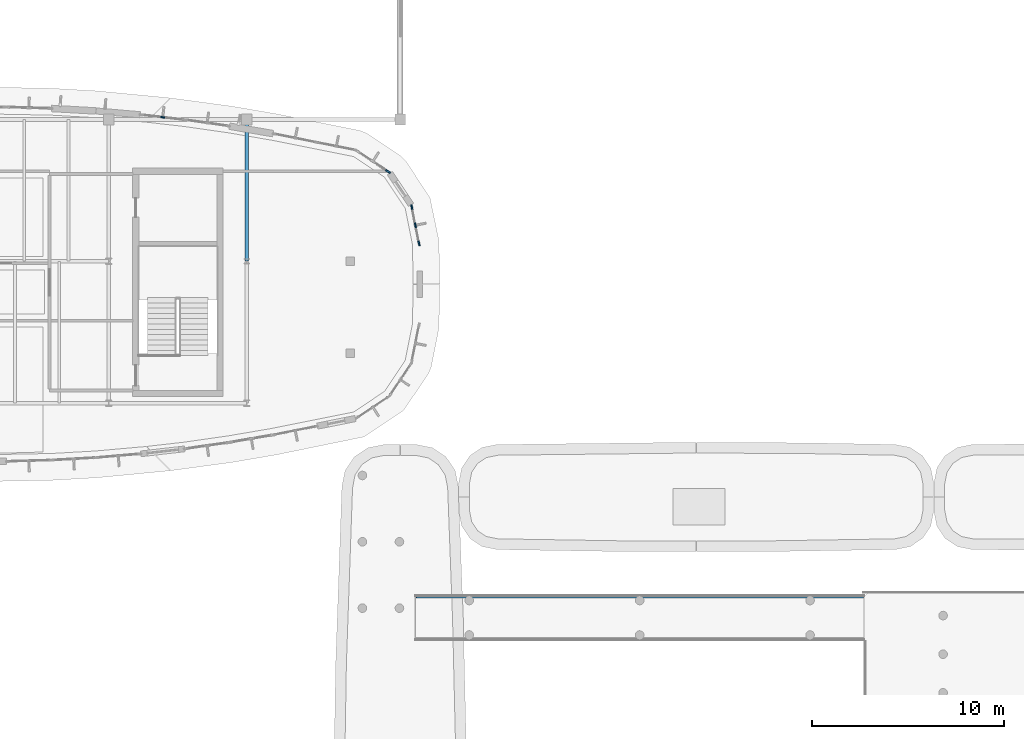
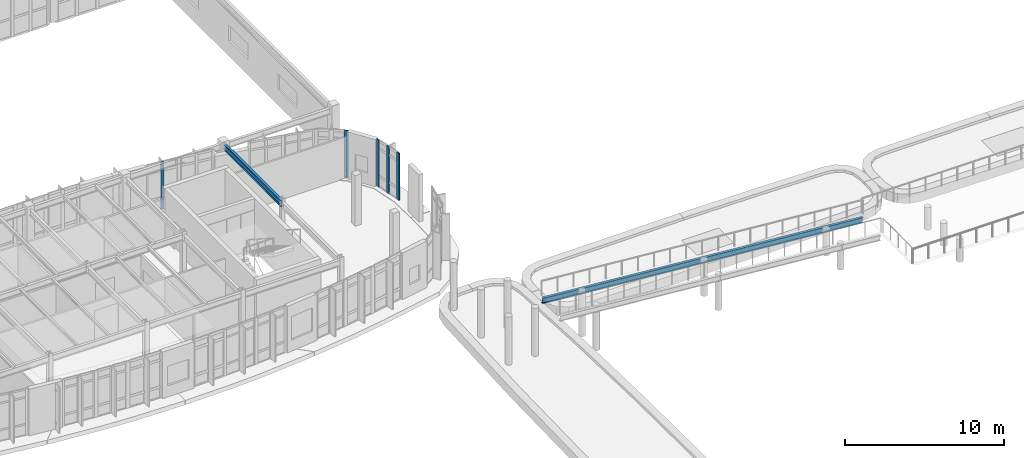
# One storey, part 40 of 111: 5 members, 2 beams, 3 elements without a shape of their own.
"""IFC4 building model written with IfcOpenShell, lengths in metres."""

from ifc_helpers import new_model, si_unit, direction, frame, origin, origin_2d, place, context, subcontext, project, spatial, rectangle, i_section, extrude, material, material_profile, profile_set, type_object, element, aggregate, save


model = new_model("IFC4")

# Units and contexts
model_context = context("Model", 3, precision=1e-05, world=origin(), true_north=direction((0.0, 1.0)))
body_context = subcontext(model_context, "Body", "Model", "MODEL_VIEW")
ifc_project = project(units=[si_unit("LENGTHUNIT", "METRE"), si_unit("AREAUNIT", "SQUARE_METRE"), si_unit("VOLUMEUNIT", "CUBIC_METRE"), si_unit("PLANEANGLEUNIT", "RADIAN"), si_unit("MASSUNIT", "GRAM", prefix="KILO")], contexts=[model_context])

# Site, building, storey
site_placement = place(None, origin())
site = spatial("IfcSite", under=ifc_project, at=site_placement, CompositionType="ELEMENT")
building_placement = place(site_placement, origin())
building = spatial("IfcBuilding", under=site, at=building_placement, Name="Corveleigh Park Community Centre", CompositionType="ELEMENT")
storey_placement = place(building_placement, frame((0.0, 0.0, 4.800048828125)))
storey = spatial("IfcBuildingStorey", under=building, at=storey_placement, Name="L01", CompositionType="ELEMENT", Elevation=4.800048828125)

# Beams
ifc_material_1 = material(Name="Steel S355", Category="steel")
ifc_material_profile_1 = material_profile(ifc_material_1, i_section(OverallWidth=0.1787109375, OverallDepth=0.409423828125, WebThickness=0.0087890625, FlangeThickness=0.014404296875, at=origin_2d()), Name="UKB 406x178x67", Category="steel")
ifc_profile_set_1 = profile_set([ifc_material_profile_1], Name="Steel S355")
beam_type_1 = type_object("IfcBeamType", Name="BM-STL-UKB406x67", PredefinedType="BEAM", material=ifc_profile_set_1)
beam_1_placement = place(storey_placement, frame((78.56005859375, 67.919921875, 1.53662109375), z_axis=(-0.996545686293, 0.0, 0.083046343271), x_axis=(0.0, -1.0, 0.0)))
element("IfcBeam", 1, at=beam_1_placement, inside=storey, type_object=beam_type_1, Name="Courtyard West Roof Promenade Ramp Upper Stringer R", PredefinedType="BEAM", context=body_context, shape_type="SweptSolid", body=[
    extrude(i_section(OverallWidth=0.1787109375, OverallDepth=0.409423828125, WebThickness=0.0087890625, FlangeThickness=0.014404296875, at=origin_2d()), origin(), (0.0, 0.0, 1.0), 23.40087890625),
])
ifc_material_profile_2 = material_profile(ifc_material_1, i_section(OverallWidth=0.1904296875, OverallDepth=0.45703125, WebThickness=0.009033203125, FlangeThickness=0.014404296875, at=origin_2d()), Name="UKB 457x191x74", Category="steel")
ifc_profile_set_2 = profile_set([ifc_material_profile_2], Name="Steel S355")
beam_type_2 = type_object("IfcBeamType", Name="BM-STL-UKB457x74", PredefinedType="BEAM", material=ifc_profile_set_2)
beam_2_placement = place(storey_placement, frame((46.39990234375, 85.405029296875, 3.428466796875), z_axis=(0.0, 1.0, 0.0), x_axis=(-1.0, 0.0, 0.0)))
element("IfcBeam", 2, at=beam_2_placement, inside=storey, type_object=beam_type_2, Name="V2 Studio Girder Y", PredefinedType="BEAM", context=body_context, shape_type="SweptSolid", body=[
    extrude(i_section(OverallWidth=0.1904296875, OverallDepth=0.45703125, WebThickness=0.009033203125, FlangeThickness=0.014404296875, at=origin_2d()), origin(), (0.0, 0.0, 1.0), 7.389892578125),
])

# Curtain wall, member
ifc_material_2 = material(Name="Anodised aluminium 6063-T6", Category="aluminium")
curtain_wall_type = type_object("IfcCurtainWallType", Name="CW-SYS-V2-HALL", PredefinedType="NOTDEFINED", material=ifc_material_2)
curtain_wall_1_placement = place(storey_placement, origin())
curtain_wall_1 = element("IfcCurtainWall", 3, at=curtain_wall_1_placement, inside=storey, type_object=curtain_wall_type, Name="V2 L01 Curtain Wall 214", PredefinedType="NOTDEFINED")
ifc_material_profile_3 = material_profile(ifc_material_2, rectangle(XDim=0.074951171875, YDim=0.219970703125, at=origin_2d()), Name="ALU-M75x220", Category="aluminium")
ifc_profile_set_3 = profile_set([ifc_material_profile_3], Name="Anodised aluminium 6063-T6")
member_type_1 = type_object("IfcMemberType", Name="CWM-75x220", PredefinedType="MULLION", material=ifc_profile_set_3)
member_1_placement = place(storey_placement, frame((42.014404296875, 92.916015625, 0.0), z_axis=(0.0, 0.0, 1.0), x_axis=(0.113132523128, 0.99357990731, 0.0)))
member_1 = element("IfcMember", 4, at=member_1_placement, type_object=member_type_1, Name="CW04 mullion 2", PredefinedType="MULLION", context=body_context, shape_type="SweptSolid", body=[
    extrude(rectangle(XDim=0.074951171875, YDim=0.219970703125, at=origin_2d()), origin(), (0.0, 0.0, 1.0), 3.656982421875),
])
aggregate(curtain_wall_1, [member_1])

# Curtain wall, members
curtain_wall_2_placement = place(storey_placement, origin())
curtain_wall_2 = element("IfcCurtainWall", 5, at=curtain_wall_2_placement, inside=storey, type_object=curtain_wall_type, Name="V2 L01 Curtain Wall 209", PredefinedType="NOTDEFINED")
ifc_material_profile_4 = material_profile(ifc_material_2, rectangle(XDim=0.080078125, YDim=0.25, at=origin_2d()), Name="ALU-M80x250", Category="aluminium")
ifc_profile_set_4 = profile_set([ifc_material_profile_4], Name="Anodised aluminium 6063-T6")
member_type_2 = type_object("IfcMemberType", Name="CWM-80x250", PredefinedType="MULLION", material=ifc_profile_set_4)
member_2_placement = place(storey_placement, frame((55.0107421875, 88.227783203125, 0.0), z_axis=(0.0, 0.0, 1.0), x_axis=(0.980790638289, 0.195063384171, 0.0)))
member_2 = element("IfcMember", 6, at=member_2_placement, type_object=member_type_2, Name="CW04 mullion 1", PredefinedType="MULLION", context=body_context, shape_type="SweptSolid", body=[
    extrude(rectangle(XDim=0.080078125, YDim=0.25, at=origin_2d()), origin(), (0.0, 0.0, 1.0), 3.656982421875),
])
member_3_placement = place(storey_placement, frame((55.198974609375, 87.281494140625, 0.0), z_axis=(0.0, 0.0, 1.0), x_axis=(0.980790638289, 0.195063384171, 0.0)))
member_3 = element("IfcMember", 7, at=member_3_placement, type_object=member_type_2, Name="CW04 mullion 2", PredefinedType="MULLION", context=body_context, shape_type="SweptSolid", body=[
    extrude(rectangle(XDim=0.080078125, YDim=0.25, at=origin_2d()), origin(), (0.0, 0.0, 1.0), 3.656982421875),
])
member_4_placement = place(storey_placement, frame((55.38720703125, 86.335205078125, 0.0), z_axis=(0.0, 0.0, 1.0), x_axis=(0.980790638289, 0.195063384171, 0.0)))
member_4 = element("IfcMember", 8, at=member_4_placement, type_object=member_type_2, Name="CW04 mullion 3", PredefinedType="MULLION", context=body_context, shape_type="SweptSolid", body=[
    extrude(rectangle(XDim=0.080078125, YDim=0.25, at=origin_2d()), origin(), (0.0, 0.0, 1.0), 3.656982421875),
])
aggregate(curtain_wall_2, [member_2, member_3, member_4])

# Curtain wall, member
curtain_wall_3_placement = place(storey_placement, origin())
curtain_wall_3 = element("IfcCurtainWall", 9, at=curtain_wall_3_placement, inside=storey, type_object=curtain_wall_type, Name="V2 L01 Curtain Wall 210", PredefinedType="NOTDEFINED")
ifc_material_profile_5 = material_profile(ifc_material_2, rectangle(XDim=0.0849609375, YDim=0.27490234375, at=origin_2d()), Name="ALU-M85x275", Category="aluminium")
ifc_profile_set_5 = profile_set([ifc_material_profile_5], Name="Anodised aluminium 6063-T6")
member_type_3 = type_object("IfcMemberType", Name="CWM-85x275", PredefinedType="MULLION", material=ifc_profile_set_5)
member_5_placement = place(storey_placement, frame((53.7666015625, 90.087646484375, 0.0), z_axis=(0.0, 0.0, 1.0), x_axis=(0.555512027575, 0.831508500991, 0.0)))
member_5 = element("IfcMember", 10, at=member_5_placement, type_object=member_type_3, Name="CW04 mullion 3", PredefinedType="MULLION", context=body_context, shape_type="SweptSolid", body=[
    extrude(rectangle(XDim=0.0849609375, YDim=0.27490234375, at=origin_2d()), origin(), (0.0, 0.0, 1.0), 3.656982421875),
])
aggregate(curtain_wall_3, [member_5])

save(model, "model.ifc")
